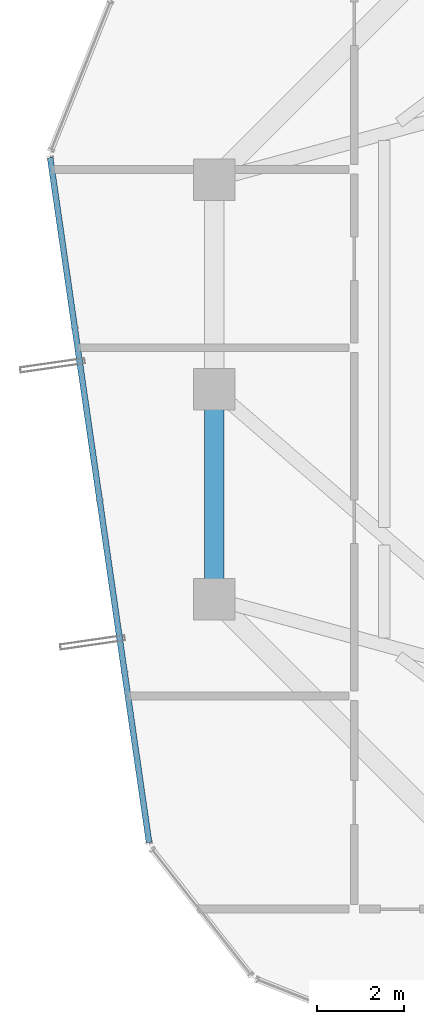
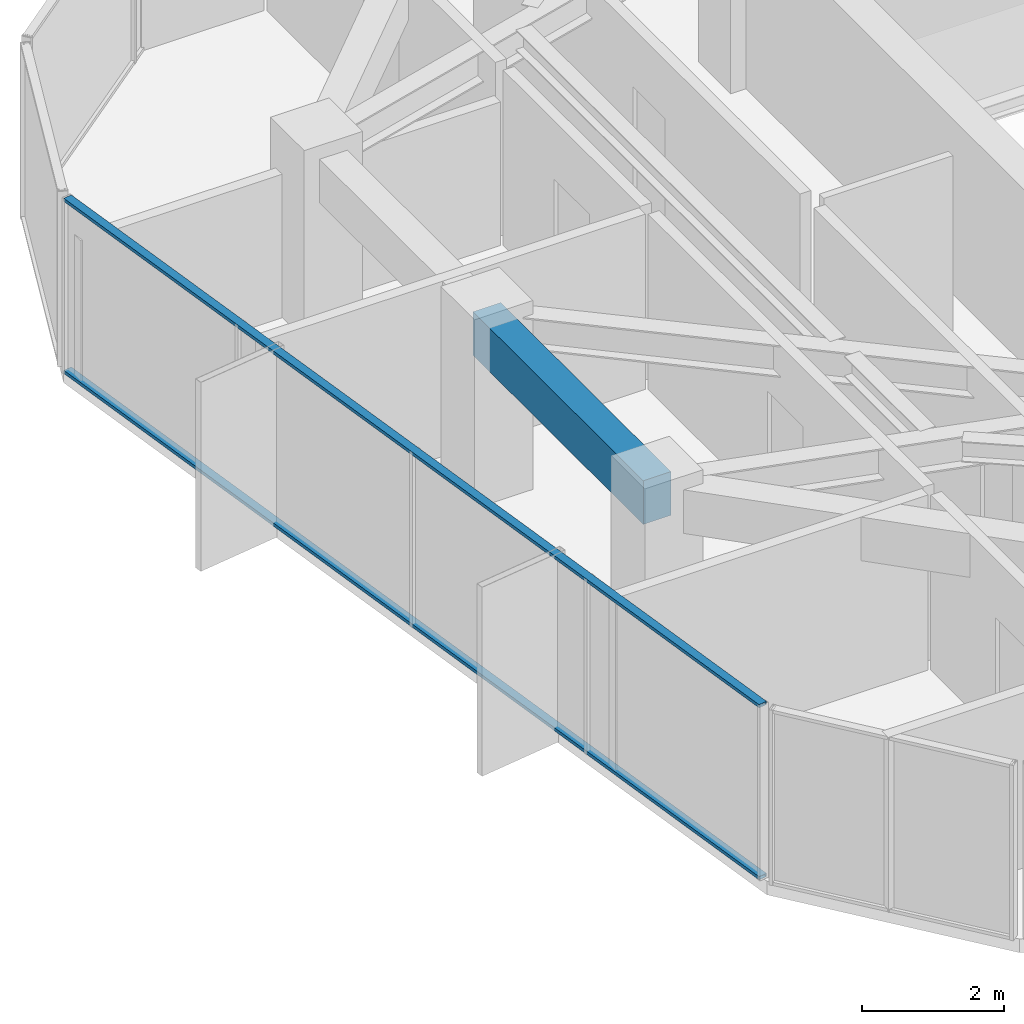
# One storey, part 10 of 31: 2 members, 1 beam, 1 element without a shape of its own.
"""IFC4 building model written with IfcOpenShell, lengths in metres."""

import ifcopenshell
import ifcopenshell.guid

model = None  # the IFC model being written
_history = None  # IfcOwnerHistory: only IFC2X3 demands one
_inside = {}  # id of a spatial element -> (the spatial element, [elements in it])
_under = {}  # id of a project, library or spatial element -> (it, [spatial elements below it])
_declared = {}  # id of a project -> (the project, [libraries it declares])
_typed = {}  # id of a type object -> (the type object, [elements of that type])
_made_of = {}  # id of a material, layer set ... -> (it, [elements and type objects made of it])


def new_model(schema):
    """Start an empty IFC model of exactly this schema.

    Asked for "IFC4X3", IfcOpenShell would pick the latest addendum, in which some entities
    have other attributes; the version numbers below select the first issue.
    IFC2X3 requires an IfcOwnerHistory on every rooted entity: one is made here for all.
    """
    global model, _history
    if schema == "IFC4X3":
        model = ifcopenshell.file(schema_version=(4, 3, 0, 0))
    else:
        model = ifcopenshell.file(schema=schema)
    _inside.clear()
    _under.clear()
    _declared.clear()
    _typed.clear()
    _made_of.clear()
    _history = None
    if model.schema == "IFC2X3":
        org = make("IfcOrganization", Name="unknown")
        user = make(
            "IfcPersonAndOrganization",
            ThePerson=make("IfcPerson", FamilyName="unknown"),
            TheOrganization=org,
        )
        app = make(
            "IfcApplication",
            ApplicationDeveloper=org,
            Version="unknown",
            ApplicationFullName="unknown",
            ApplicationIdentifier="unknown",
        )
        _history = make(
            "IfcOwnerHistory",
            OwningUser=user,
            OwningApplication=app,
            ChangeAction="ADDED",
            CreationDate=0,
        )
    return model


def make(cls, **values):
    """One entity of the class cls with the attributes given. An attribute that is None is left unset."""
    return model.create_entity(
        cls, **{name: value for name, value in values.items() if value is not None}
    )


def rooted(cls, **values):
    """An entity with a GlobalId (a new one), such as an element, a storey or a relation."""
    return make(cls, GlobalId=ifcopenshell.guid.new(), OwnerHistory=_history, **values)


def si_unit(unit_type, name, prefix=None):
    """IfcSIUnit, for example si_unit("LENGTHUNIT", "METRE", prefix="MILLI")."""
    return make("IfcSIUnit", UnitType=unit_type, Prefix=prefix, Name=name)


def assignment(units):
    """IfcUnitAssignment: the units of a project."""
    return None if units is None else make("IfcUnitAssignment", Units=units)


def point(xyz):
    """IfcCartesianPoint."""
    return None if xyz is None else make("IfcCartesianPoint", Coordinates=xyz)


def direction(xyz):
    """IfcDirection."""
    return None if xyz is None else make("IfcDirection", DirectionRatios=xyz)


def frame(location, z_axis=None, x_axis=None):
    """IfcAxis2Placement3D, a coordinate frame: its origin and axes. An axis left out is left unset."""
    return make(
        "IfcAxis2Placement3D",
        Location=point(location),
        Axis=direction(z_axis),
        RefDirection=direction(x_axis),
    )


def frame_2d(location, x_axis=None):
    """IfcAxis2Placement2D, a coordinate frame in the plane: its origin and x axis."""
    return make(
        "IfcAxis2Placement2D", Location=point(location), RefDirection=direction(x_axis)
    )


def origin():
    """The frame at (0, 0, 0) with its axes left unset."""
    return frame((0.0, 0.0, 0.0))


def origin_2d():
    """The frame at (0, 0) in the plane with its x axis left unset."""
    return frame_2d((0.0, 0.0))


def place(relative_to, where):
    """IfcLocalPlacement: puts the frame where relative to a parent placement (None: the world)."""
    return make(
        "IfcLocalPlacement", PlacementRelTo=relative_to, RelativePlacement=where
    )


def context(
    kind, dimensions, precision=None, world=None, true_north=None, identifier=None
):
    """IfcGeometricRepresentationContext, for example the 3D "Model" context."""
    return make(
        "IfcGeometricRepresentationContext",
        ContextIdentifier=identifier,
        ContextType=kind,
        CoordinateSpaceDimension=dimensions,
        Precision=precision,
        WorldCoordinateSystem=world,
        TrueNorth=true_north,
    )


def subcontext(parent, identifier, kind, view, scale=None):
    """IfcGeometricRepresentationSubContext, for example "Body" below "Model"."""
    return make(
        "IfcGeometricRepresentationSubContext",
        ContextIdentifier=identifier,
        ContextType=kind,
        ParentContext=parent,
        TargetScale=scale,
        TargetView=view,
    )


def project(units=None, contexts=None):
    """IfcProject with its units and contexts."""
    return rooted(
        "IfcProject",
        Name="project",
        RepresentationContexts=contexts,
        UnitsInContext=assignment(units),
    )


def spatial(cls, under=None, at=None, **own):
    """A site, building, storey or space (cls), placed at a placement, below another one or the project."""
    s = rooted(cls, ObjectPlacement=at, **own)
    if under is not None:
        _under.setdefault(under.id(), (under, []))[1].append(s)
    return s


def profile(cls, at=None, kind="AREA", **sizes):
    """A parametric profile (cls). Its sizes go by their IFC names, for example OverallWidth=200.0."""
    return make(cls, ProfileType=kind, Position=at, **sizes)


def rectangle(**sizes):
    """IfcRectangleProfileDef."""
    return profile("IfcRectangleProfileDef", **sizes)


def hollow_rectangle(**sizes):
    """IfcRectangleHollowProfileDef."""
    return profile("IfcRectangleHollowProfileDef", **sizes)


def extrude(swept, where, along, depth):
    """IfcExtrudedAreaSolid: the profile swept, set in the frame where, extruded along a direction by depth."""
    return make(
        "IfcExtrudedAreaSolid",
        SweptArea=swept,
        Position=where,
        ExtrudedDirection=direction(along),
        Depth=depth,
    )


def shape(context_of_items, identifier, shape_type, items):
    """IfcShapeRepresentation: the items that make up one representation, for example the "Body"."""
    return make(
        "IfcShapeRepresentation",
        ContextOfItems=context_of_items,
        RepresentationIdentifier=identifier,
        RepresentationType=shape_type,
        Items=items,
    )


def source(mapping_origin, context_of_items, identifier, shape_type, items):
    """IfcRepresentationMap: a shape defined once, which mapped items show again and again."""
    return make(
        "IfcRepresentationMap",
        MappingOrigin=mapping_origin,
        MappedRepresentation=shape(context_of_items, identifier, shape_type, items),
    )


def transform(
    local_origin,
    x_axis=None,
    y_axis=None,
    z_axis=None,
    scale=None,
    scale2=None,
    scale3=None,
    uniform=True,
):
    """IfcCartesianTransformationOperator3D, or its non-uniform kind. x_axis, y_axis, z_axis: its Axis1, 2, 3."""
    if uniform:
        return make(
            "IfcCartesianTransformationOperator3D",
            Axis1=direction(x_axis),
            Axis2=direction(y_axis),
            LocalOrigin=point(local_origin),
            Scale=scale,
            Axis3=direction(z_axis),
        )
    return make(
        "IfcCartesianTransformationOperator3DnonUniform",
        Axis1=direction(x_axis),
        Axis2=direction(y_axis),
        LocalOrigin=point(local_origin),
        Scale=scale,
        Axis3=direction(z_axis),
        Scale2=scale2,
        Scale3=scale3,
    )


def mapped(mapping_source, mapping_target):
    """IfcMappedItem: shows the shape of a source again, moved by a transform."""
    return make(
        "IfcMappedItem", MappingSource=mapping_source, MappingTarget=mapping_target
    )


def material(Name=None, Category=None):
    """IfcMaterial."""
    return make("IfcMaterial", Name=Name, Category=Category)


def layer(
    of_material, thickness, ventilated=None, Name=None, Category=None, Priority=None
):
    """IfcMaterialLayer: one layer of a wall or slab, of a material (None: an air gap)."""
    return make(
        "IfcMaterialLayer",
        Material=of_material,
        LayerThickness=thickness,
        IsVentilated=ventilated,
        Name=Name,
        Category=Category,
        Priority=Priority,
    )


def layer_set(layers, Name=None):
    """IfcMaterialLayerSet."""
    return make("IfcMaterialLayerSet", MaterialLayers=layers, LayerSetName=Name)


def material_profile(
    of_material, cross_section, Name=None, Category=None, Priority=None
):
    """IfcMaterialProfile: a cross section and its material."""
    return make(
        "IfcMaterialProfile",
        Name=Name,
        Material=of_material,
        Profile=cross_section,
        Priority=Priority,
        Category=Category,
    )


def profile_set(profiles, Name=None, composite=None):
    """IfcMaterialProfileSet."""
    return make(
        "IfcMaterialProfileSet",
        Name=Name,
        MaterialProfiles=profiles,
        CompositeProfile=composite,
    )


def made_of(thing, what):
    """Note that an element or type object is made of a material, layer set ...; save() writes the relation."""
    if what is not None:
        _made_of.setdefault(what.id(), (what, []))[1].append(thing)
    return thing


def type_object(cls, material=None, **own):
    """A type object (cls), such as IfcWallType, which elements share."""
    return made_of(rooted(cls, **own), material)


def element(
    cls,
    number,
    at=None,
    inside=None,
    cuts=None,
    type_object=None,
    material=None,
    context=None,
    identifier="Body",
    shape_type=None,
    held_by="IfcProductDefinitionShape",
    body=None,
    shapes=None,
    **own,
):
    """One element of the class cls, such as IfcWall. Its Tag is "e" and its number.

    at: its placement. inside: the storey or other place that contains it. cuts: it is an
    opening in that element (IfcRelVoidsElement). A single representation is given by context,
    identifier, shape_type and body (its items); several are given by shapes. held_by: the class
    of the entity that holds the representations. save() writes the other relations.
    """
    e = rooted(cls, Tag="e%d" % number, ObjectPlacement=at, **own)
    if body is not None:
        shapes = [shape(context, identifier, shape_type, body)]
    if shapes is not None:
        e.Representation = make(held_by, Representations=shapes)
    if inside is not None:
        _inside.setdefault(inside.id(), (inside, []))[1].append(e)
    if cuts is not None:
        rooted(
            "IfcRelVoidsElement", RelatingBuildingElement=cuts, RelatedOpeningElement=e
        )
    if type_object is not None:
        _typed.setdefault(type_object.id(), (type_object, []))[1].append(e)
    return made_of(e, material)


def aggregate(whole, parts):
    """IfcRelAggregates: a whole, such as a stair, and the parts it consists of."""
    return rooted("IfcRelAggregates", RelatingObject=whole, RelatedObjects=parts)


def save(model, path):
    """Write the relations noted so far, then the file.

    IfcRelAggregates (storeys below a building ...), IfcRelContainedInSpatialStructure (elements
    in a storey), IfcRelDefinesByType, IfcRelAssociatesMaterial and IfcRelDeclares: one each for
    every whole, place, type object, material and project.
    """
    for whole, parts in _under.values():
        aggregate(whole, parts)
    for where, things in _inside.values():
        rooted(
            "IfcRelContainedInSpatialStructure",
            RelatedElements=things,
            RelatingStructure=where,
        )
    for kind, things in _typed.values():
        rooted("IfcRelDefinesByType", RelatedObjects=things, RelatingType=kind)
    for what, things in _made_of.values():
        rooted("IfcRelAssociatesMaterial", RelatedObjects=things, RelatingMaterial=what)
    for by, libraries in _declared.values():
        rooted("IfcRelDeclares", RelatingContext=by, RelatedDefinitions=libraries)
    model.write(path)


model = new_model("IFC4")

# Units and contexts
model_context = context("Model", 3, precision=1e-05, world=origin(), true_north=direction((0.0, 1.0)))
body_context = subcontext(model_context, "Body", "Model", "MODEL_VIEW")
ifc_project = project(units=[si_unit("LENGTHUNIT", "METRE"), si_unit("AREAUNIT", "SQUARE_METRE"), si_unit("VOLUMEUNIT", "CUBIC_METRE"), si_unit("PLANEANGLEUNIT", "RADIAN"), si_unit("MASSUNIT", "GRAM", prefix="KILO")], contexts=[model_context])

# Site, building, storey
site_placement = place(None, origin())
site = spatial("IfcSite", under=ifc_project, at=site_placement, CompositionType="ELEMENT")
building_placement = place(site_placement, origin())
building = spatial("IfcBuilding", under=site, at=building_placement, Name="Veraguas Prism Commons", CompositionType="ELEMENT")
storey_placement = place(building_placement, frame((0.0, 0.0, 178.85009765625)))
storey = spatial("IfcBuildingStorey", under=building, at=storey_placement, Name="L50", CompositionType="ELEMENT", Elevation=178.85009765625)

# Beam
ifc_material_1 = material(Name="Concrete C50/60", Category="concrete")
ifc_material_profile_1 = material_profile(ifc_material_1, rectangle(XDim=0.449951171875, YDim=0.75, at=origin_2d()), Name="RC450X750")
ifc_profile_set_1 = profile_set([ifc_material_profile_1], Name="Concrete C50/60")
beam_type = type_object("IfcBeamType", Name="Perimeter Spandrel Upper RC 450x750", PredefinedType="SPANDREL", material=ifc_profile_set_1)
beam_placement = place(storey_placement, frame((9.10009765625, 24.0, 2.639892578125), z_axis=(0.0, -1.0, 0.0), x_axis=(1.0, 0.0, 0.0)))
element("IfcBeam", 1, at=beam_placement, inside=storey, type_object=beam_type, Name="Perimeter Spandrel Beam L50-SP08", PredefinedType="SPANDREL", context=body_context, shape_type="SweptSolid", body=[
    extrude(rectangle(XDim=0.449951171875, YDim=0.75, at=origin_2d()), origin(), (0.0, 0.0, 1.0), 4.800048828125),
])

# Curtain wall, members
ifc_material_2 = material(Name="Anodised aluminium EN AW-6063 T6", Category="aluminium")
ifc_layer = layer(ifc_material_2, 0.14990234375, Name="Unitised Flush Curtain Wall Zone 3", Category="aluminium")
ifc_layer_set = layer_set([ifc_layer], Name="Anodised aluminium EN AW-6063 T6")
curtain_wall_type = type_object("IfcCurtainWallType", Name="Unitised Flush Curtain Wall Zone 3", PredefinedType="NOTDEFINED", material=ifc_layer_set)
curtain_wall_placement = place(storey_placement, origin())
curtain_wall = element("IfcCurtainWall", 2, at=curtain_wall_placement, inside=storey, type_object=curtain_wall_type, Name="Tower Facade Curtain Wall L50-F3", PredefinedType="NOTDEFINED")
ifc_material_profile_2 = material_profile(ifc_material_2, hollow_rectangle(XDim=0.054931640625, YDim=0.135009765625, WallThickness=0.0029296875, at=origin_2d()), Name="AL55X135X3")
ifc_profile_set_2 = profile_set([ifc_material_profile_2], Name="Anodised aluminium EN AW-6063 T6")
member_type = type_object("IfcMemberType", Name="Curtain Wall Transom Standard AL 55x135x3", PredefinedType="USERDEFINED", material=ifc_profile_set_2)
shared_shape = source(origin(), body_context, "Body", "SweptSolid", [
    extrude(hollow_rectangle(XDim=0.054931640625, YDim=0.135009765625, WallThickness=0.0029296875, at=origin_2d()), origin(), (0.0, 0.0, 1.0), 15.84228515625),
])
member_1_placement = place(storey_placement, frame((5.339111328125, 29.3076171875, 0.02734375), z_axis=(0.142981058091, -0.989725425069, 0.0), x_axis=(0.0, 0.0, 1.0)))
member_1 = element("IfcMember", 3, at=member_1_placement, type_object=member_type, Name="CW-Z3 Transom 1", ObjectType="TRANSOM", PredefinedType="USERDEFINED", context=body_context, shape_type="MappedRepresentation", body=[
    mapped(shared_shape, transform((0.0, 0.0, 0.0), scale=1.0)),
])
member_2_placement = place(storey_placement, frame((5.339111328125, 29.3076171875, 2.9873046875), z_axis=(0.142981058091, -0.989725425069, 0.0), x_axis=(0.0, 0.0, 1.0)))
member_2 = element("IfcMember", 4, at=member_2_placement, type_object=member_type, Name="CW-Z3 Transom 2", ObjectType="TRANSOM", PredefinedType="USERDEFINED", context=body_context, shape_type="MappedRepresentation", body=[
    mapped(shared_shape, transform((0.0, 0.0, 0.0), scale=1.0)),
])
aggregate(curtain_wall, [member_1, member_2])

save(model, "model.ifc")
